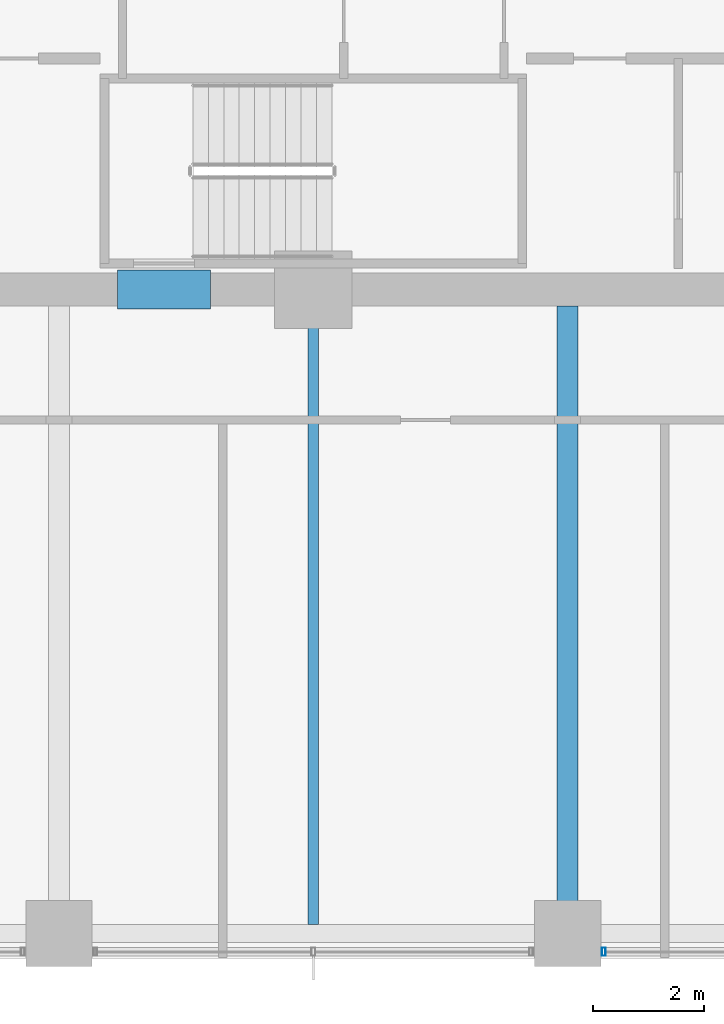
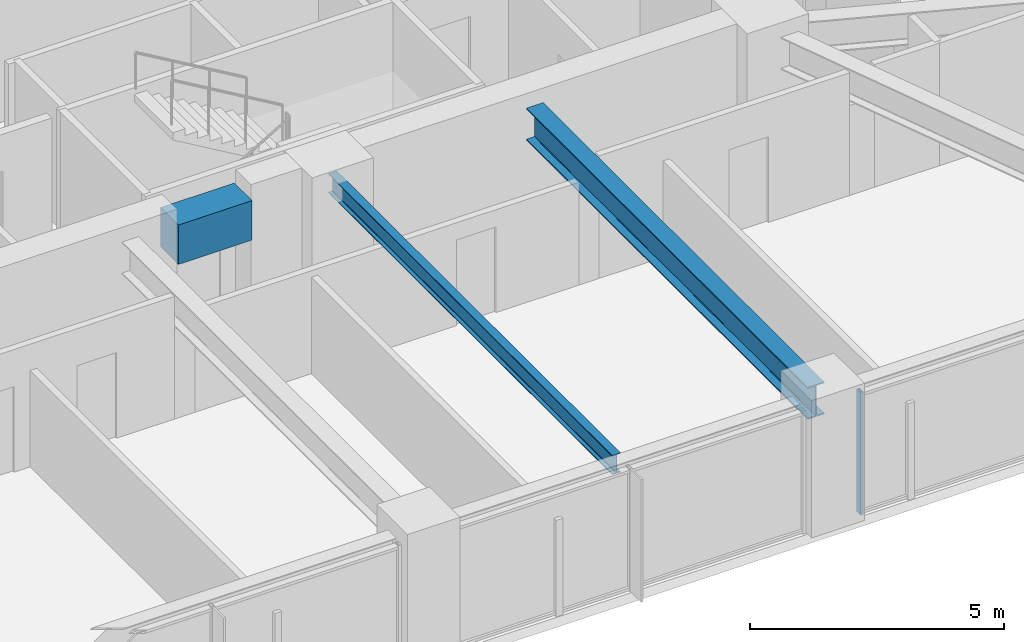
# One storey, part 6 of 38: 3 beams, 1 member, 1 element without a shape of its own.
"""IFC4 building model written with IfcOpenShell, lengths in metres."""

from ifc_helpers import new_model, si_unit, direction, frame, origin, origin_2d, place, context, subcontext, project, spatial, rectangle, hollow_rectangle, i_section, extrude, material, material_profile, profile_set, type_object, element, aggregate, save


model = new_model("IFC4")

# Units and contexts
model_context = context("Model", 3, precision=1e-05, world=origin(), true_north=direction((0.0, 1.0)))
body_context = subcontext(model_context, "Body", "Model", "MODEL_VIEW")
ifc_project = project(units=[si_unit("LENGTHUNIT", "METRE"), si_unit("AREAUNIT", "SQUARE_METRE"), si_unit("VOLUMEUNIT", "CUBIC_METRE"), si_unit("PLANEANGLEUNIT", "RADIAN"), si_unit("MASSUNIT", "GRAM", prefix="KILO")], contexts=[model_context])

# Site, building, storey
site_placement = place(None, origin())
site = spatial("IfcSite", under=ifc_project, at=site_placement, CompositionType="ELEMENT")
building_placement = place(site_placement, origin())
building = spatial("IfcBuilding", under=site, at=building_placement, Name="Kolvaren Belvedere", CompositionType="ELEMENT")
storey_placement = place(building_placement, frame((0.0, 0.0, 60.10009765625)))
storey = spatial("IfcBuildingStorey", under=building, at=storey_placement, Name="L17", CompositionType="ELEMENT", Elevation=60.10009765625)

# Beams
ifc_material_1 = material(Name="Structural steel ASTM A992 Grade 50", Category="steel")
ifc_material_profile_1 = material_profile(ifc_material_1, i_section(OverallWidth=0.381103515625, OverallDepth=0.77294921875, WebThickness=0.0166015625, FlangeThickness=0.027099609375, FilletRadius=0.02392578125, at=origin_2d()), Name="W30X173")
ifc_profile_set_1 = profile_set([ifc_material_profile_1], Name="Structural steel ASTM A992 Grade 50")
beam_type_1 = type_object("IfcBeamType", Name="BM-GIRD-W30X173", PredefinedType="BEAM", material=ifc_profile_set_1)
beam_1_placement = place(storey_placement, frame((4.60009765625, -10.199951171875, 2.5634765625), z_axis=(0.0, -1.0, 0.0), x_axis=(1.0, 0.0, 0.0)))
element("IfcBeam", 1, at=beam_1_placement, inside=storey, type_object=beam_type_1, Name="L17 South Radial Girder P", PredefinedType="BEAM", context=body_context, shape_type="SweptSolid", body=[
    extrude(i_section(OverallWidth=0.381103515625, OverallDepth=0.77294921875, WebThickness=0.0166015625, FlangeThickness=0.027099609375, FilletRadius=0.02392578125, at=origin_2d()), origin(), (0.0, 0.0, 1.0), 11.080078125),
])
ifc_material_2 = material(Name="Structural steel ASTM A992 Grade 50", Category="steel")
ifc_material_profile_2 = material_profile(ifc_material_2, i_section(OverallWidth=0.19091796875, OverallDepth=0.4599609375, WebThickness=0.010009765625, FlangeThickness=0.01611328125, FilletRadius=0.014892578125, at=origin_2d()), Name="W18X55")
ifc_profile_set_2 = profile_set([ifc_material_profile_2], Name="Structural steel ASTM A992 Grade 50")
beam_type_2 = type_object("IfcBeamType", Name="BM-JOIST-W18X55", PredefinedType="BEAM", material=ifc_profile_set_2)
beam_2_placement = place(storey_placement, frame((0.0, -10.199951171875, 2.719970703125), z_axis=(0.0, -1.0, 0.0), x_axis=(1.0, 0.0, 0.0)))
element("IfcBeam", 2, at=beam_2_placement, inside=storey, type_object=beam_type_2, Name="L17 South Centre Floor Beam", PredefinedType="BEAM", context=body_context, shape_type="SweptSolid", body=[
    extrude(i_section(OverallWidth=0.19091796875, OverallDepth=0.4599609375, WebThickness=0.010009765625, FlangeThickness=0.01611328125, FilletRadius=0.014892578125, at=origin_2d()), origin(), (0.0, 0.0, 1.0), 11.1875),
])
ifc_material_3 = material(Name="Concrete C60/75", Category="concrete")
ifc_material_profile_3 = material_profile(ifc_material_3, rectangle(XDim=0.699951171875, YDim=0.949951171875, at=origin_2d()), Name="RC 700X950")
ifc_profile_set_3 = profile_set([ifc_material_profile_3], Name="Concrete C60/75")
beam_type_3 = type_object("IfcBeamType", Name="BM-LINT-950", PredefinedType="LINTEL", material=ifc_profile_set_3)
beam_3_placement = place(storey_placement, frame((-3.5400390625, -9.89990234375, 2.474853515625), z_axis=(1.0, 0.0, 0.0), x_axis=(0.0, 1.0, 0.0)))
element("IfcBeam", 3, at=beam_3_placement, inside=storey, type_object=beam_type_3, Name="L17 South Core Coupling Lintel", PredefinedType="LINTEL", context=body_context, shape_type="SweptSolid", body=[
    extrude(rectangle(XDim=0.699951171875, YDim=0.949951171875, at=origin_2d()), origin(), (0.0, 0.0, 1.0), 1.679931640625),
])

# Curtain wall, member
ifc_material_4 = material(Name="Anodised pale-metal aluminium AA 6063-T6", Category="aluminium")
curtain_wall_type = type_object("IfcCurtainWallType", Name="CW-Z1-LOW", PredefinedType="NOTDEFINED", material=ifc_material_4)
curtain_wall_placement = place(storey_placement, origin())
curtain_wall = element("IfcCurtainWall", 4, at=curtain_wall_placement, inside=storey, type_object=curtain_wall_type, Name="L17 Unitised Curtain Wall FCW-L17-S-B1", PredefinedType="NOTDEFINED")
ifc_material_5 = material(Name="Anodised pale-metal aluminium AA 6063-T6", Category="aluminium")
ifc_material_profile_4 = material_profile(ifc_material_5, hollow_rectangle(XDim=0.070068359375, YDim=0.14990234375, WallThickness=0.004150390625, at=origin_2d()), Name="ALU-MUL-150X70")
ifc_profile_set_4 = profile_set([ifc_material_profile_4], Name="Anodised pale-metal aluminium AA 6063-T6")
member_type = type_object("IfcMemberType", Name="CW-MUL-150", PredefinedType="MULLION", material=ifc_profile_set_4)
member_placement = place(storey_placement, frame((5.2548828125, -21.8798828125, 0.0), z_axis=(0.0, 0.0, 1.0), x_axis=(1.0, 0.0, 0.0)))
member = element("IfcMember", 5, at=member_placement, type_object=member_type, Name="FCW-L17-S-B1 Unitised Mullion 3", PredefinedType="MULLION", context=body_context, shape_type="SweptSolid", body=[
    extrude(hollow_rectangle(XDim=0.070068359375, YDim=0.14990234375, WallThickness=0.004150390625, at=origin_2d()), origin(), (0.0, 0.0, 1.0), 2.949951171875),
])
aggregate(curtain_wall, [member])

save(model, "model.ifc")
